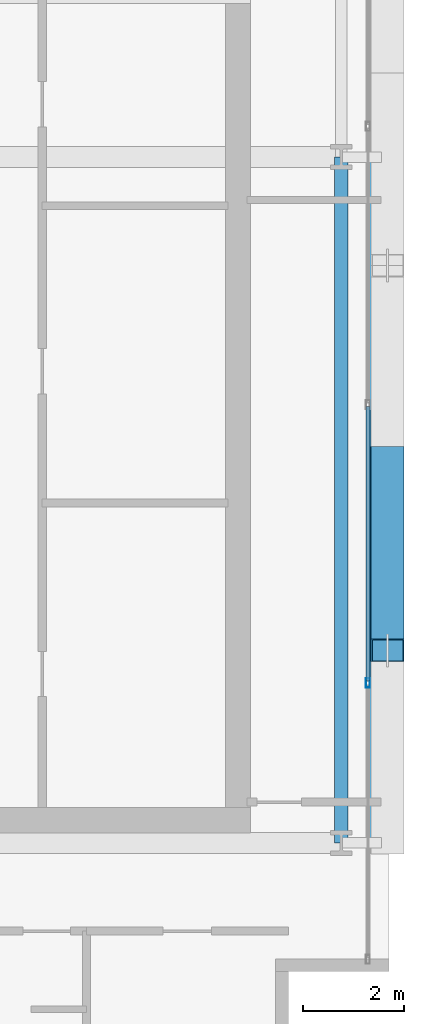
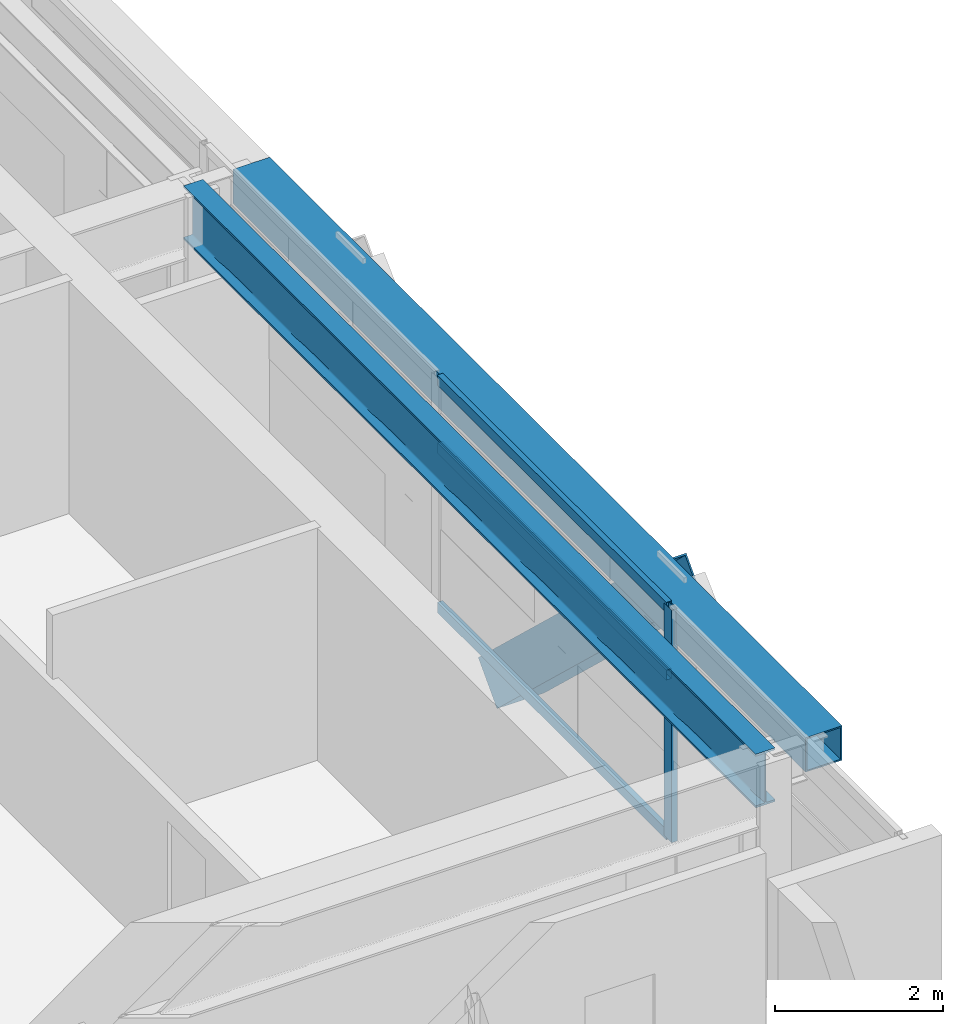
# One storey, part 12 of 31: 5 members, 2 beams, 1 element without a shape of its own.
"""IFC4 building model written with IfcOpenShell, lengths in metres."""

from ifc_helpers import new_model, si_unit, direction, frame, origin, origin_2d, place, context, subcontext, project, spatial, hollow_rectangle, i_section, extrude, source, transform, mapped, material, layer, layer_set, material_profile, profile_set, type_object, element, aggregate, save


model = new_model("IFC4")

# Units and contexts
model_context = context("Model", 3, precision=1e-05, world=origin(), true_north=direction((0.0, 1.0)))
body_context = subcontext(model_context, "Body", "Model", "MODEL_VIEW")
ifc_project = project(units=[si_unit("LENGTHUNIT", "METRE"), si_unit("AREAUNIT", "SQUARE_METRE"), si_unit("VOLUMEUNIT", "CUBIC_METRE"), si_unit("PLANEANGLEUNIT", "RADIAN"), si_unit("MASSUNIT", "GRAM", prefix="KILO")], contexts=[model_context])

# Site, building, storey
site_placement = place(None, origin())
site = spatial("IfcSite", under=ifc_project, at=site_placement, CompositionType="ELEMENT")
building_placement = place(site_placement, origin())
building = spatial("IfcBuilding", under=site, at=building_placement, Name="Ocotamira Hotel", CompositionType="ELEMENT")
storey_placement = place(building_placement, frame((0.0, 0.0, 188.39990234375)))
storey = spatial("IfcBuildingStorey", under=building, at=storey_placement, Name="L47", CompositionType="ELEMENT", Elevation=188.39990234375)

# Beams
ifc_material_1 = material(Name="Steel ASTM A992 Grade 50", Category="steel")
ifc_material_profile_1 = material_profile(ifc_material_1, i_section(OverallWidth=0.26611328125, OverallDepth=0.779052734375, WebThickness=0.0166015625, FlangeThickness=0.030029296875, FilletRadius=0.01806640625, at=origin_2d()), Name="W30X148")
ifc_profile_set_1 = profile_set([ifc_material_profile_1], Name="Steel ASTM A992 Grade 50")
beam_type_1 = type_object("IfcBeamType", Name="BM-GIRD-W30X148", PredefinedType="BEAM", material=ifc_profile_set_1)
shared_shape_1 = source(origin(), body_context, "Body", "SweptSolid", [
    extrude(i_section(OverallWidth=0.26611328125, OverallDepth=0.779052734375, WebThickness=0.0166015625, FlangeThickness=0.030029296875, FilletRadius=0.01806640625, at=origin_2d()), origin(), (0.0, 0.0, 1.0), 13.599853515625),
])
beam_1_placement = place(storey_placement, frame((55.050048828125, 14.550048828125, 2.980712890625), z_axis=(0.0, 1.0, 0.0), x_axis=(-1.0, 0.0, 0.0)))
element("IfcBeam", 1, at=beam_1_placement, inside=storey, type_object=beam_type_1, Name="L47 Beam X55.05 Y14.55-28.15", PredefinedType="BEAM", context=body_context, shape_type="MappedRepresentation", body=[
    mapped(shared_shape_1, transform((0.0, 0.0, 0.0), scale=1.0)),
])
ifc_material_2 = material(Name="Steel ASTM A500 Grade C", Category="steel")
ifc_material_profile_2 = material_profile(ifc_material_2, hollow_rectangle(XDim=0.5, YDim=0.5, WallThickness=0.02001953125, at=origin_2d()), Name="HSS500X500X20")
ifc_profile_set_2 = profile_set([ifc_material_profile_2], Name="Steel ASTM A500 Grade C")
beam_type_2 = type_object("IfcBeamType", Name="BM-SPAN-HSS500", PredefinedType="USERDEFINED", material=ifc_profile_set_2)
shared_shape_2 = source(origin(), body_context, "Body", "SweptSolid", [
    extrude(hollow_rectangle(XDim=0.5, YDim=0.5, WallThickness=0.02001953125, at=origin_2d()), origin(), (0.0, 0.0, 1.0), 13.599853515625),
])
beam_2_placement = place(storey_placement, frame((55.85009765625, 14.550048828125, 3.1201171875), z_axis=(0.0, 1.0, 0.0), x_axis=(-1.0, 0.0, 0.0)))
element("IfcBeam", 2, at=beam_2_placement, inside=storey, type_object=beam_type_2, Name="L47 Edge Spandrel E Y14.55-28.15", ObjectType="SPANDREL", PredefinedType="USERDEFINED", context=body_context, shape_type="MappedRepresentation", body=[
    mapped(shared_shape_2, transform((0.0, 0.0, 0.0), scale=1.0)),
])

# Member
ifc_material_3 = material(Name="Pale-metal coated steel ASTM A913 Grade 65", Category="steel")
ifc_material_profile_3 = material_profile(ifc_material_3, hollow_rectangle(XDim=0.64990234375, YDim=0.64990234375, WallThickness=0.02197265625, at=origin_2d()), Name="BOX650X650X22")
ifc_profile_set_3 = profile_set([ifc_material_profile_3], Name="Pale-metal coated steel ASTM A913 Grade 65")
member_type_1 = type_object("IfcMemberType", Name="MEM-EXO-BOX650", PredefinedType="BRACE", material=ifc_profile_set_3)
shared_shape_3 = source(origin(), body_context, "Body", "SweptSolid", [
    extrude(hollow_rectangle(XDim=0.64990234375, YDim=0.64990234375, WallThickness=0.02197265625, at=origin_2d()), origin(), (0.0, 0.0, 1.0), 5.24658203125),
])
member_1_placement = place(storey_placement, frame((55.969970703125, 22.183349609375, -0.47998046875), z_axis=(0.0, -0.727442733726, 0.686168397078), x_axis=(1.0, 0.0, 0.0)))
element("IfcMember", 3, at=member_1_placement, inside=storey, type_object=member_type_1, Name="L47 Exoskeleton Diagrid E0.2", PredefinedType="BRACE", context=body_context, shape_type="MappedRepresentation", body=[
    mapped(shared_shape_3, transform((0.0, 0.0, 0.0), scale=1.0)),
])

# Curtain wall, members
ifc_material_4 = material(Name="Anodised pale-metal aluminium and solar glass", Category="aluminium")
ifc_layer = layer(ifc_material_4, 0.199951171875)
ifc_layer_set = layer_set([ifc_layer], Name="Anodised pale-metal aluminium and solar glass")
curtain_wall_type = type_object("IfcCurtainWallType", Name="CW-SYS4-Z3", PredefinedType="NOTDEFINED", material=ifc_layer_set)
curtain_wall_placement = place(storey_placement, origin())
curtain_wall = element("IfcCurtainWall", 4, at=curtain_wall_placement, inside=storey, type_object=curtain_wall_type, Name="L47 Curtain Wall CW-4 CW-L47-E", PredefinedType="NOTDEFINED")
ifc_material_5 = material(Name="Anodised pale-metal aluminium 6063-T6", Category="aluminium")
ifc_material_profile_4 = material_profile(ifc_material_5, hollow_rectangle(XDim=0.080078125, YDim=0.179931640625, WallThickness=0.006103515625, at=origin_2d()), Name="HSS180X80X6")
ifc_profile_set_4 = profile_set([ifc_material_profile_4], Name="Anodised pale-metal aluminium 6063-T6")
member_type_2 = type_object("IfcMemberType", Name="CWM-180X75", PredefinedType="MULLION", material=ifc_profile_set_4)
shared_shape_4 = source(origin(), body_context, "Body", "SweptSolid", [
    extrude(hollow_rectangle(XDim=0.080078125, YDim=0.179931640625, WallThickness=0.006103515625, at=origin_2d()), origin(), (0.0, 0.0, 1.0), 3.3701171875),
])
member_2_placement = place(storey_placement, frame((55.580078125, 17.719970703125, 0.0), z_axis=(0.0, 0.0, 1.0), x_axis=(-1.0, 0.0, 0.0)))
member_2 = element("IfcMember", 5, at=member_2_placement, type_object=member_type_2, Name="CW-4 mullion 2", PredefinedType="MULLION", context=body_context, shape_type="MappedRepresentation", body=[
    mapped(shared_shape_4, transform((0.0, 0.0, 0.0), scale=1.0)),
])
ifc_material_profile_5 = material_profile(ifc_material_5, hollow_rectangle(XDim=0.074951171875, YDim=0.14990234375, WallThickness=0.006103515625, at=origin_2d()), Name="HSS150X75X6")
ifc_profile_set_5 = profile_set([ifc_material_profile_5], Name="Anodised pale-metal aluminium 6063-T6")
member_type_3 = type_object("IfcMemberType", Name="CWT-150X75", PredefinedType="USERDEFINED", material=ifc_profile_set_5)
shared_shape_5 = source(origin(), body_context, "Body", "SweptSolid", [
    extrude(hollow_rectangle(XDim=0.074951171875, YDim=0.14990234375, WallThickness=0.006103515625, at=origin_2d()), origin(), (0.0, 0.0, 1.0), 5.43994140625),
])
member_3_placement = place(storey_placement, frame((55.580078125, 17.760009765625, 0.03759765625), z_axis=(0.0, 1.0, 0.0), x_axis=(-1.0, 0.0, 0.0)))
member_3 = element("IfcMember", 6, at=member_3_placement, type_object=member_type_3, Name="CW-4 transom 2.1", ObjectType="TRANSOM", PredefinedType="USERDEFINED", context=body_context, shape_type="MappedRepresentation", body=[
    mapped(shared_shape_5, transform((0.0, 0.0, 0.0), scale=1.0)),
])
member_4_placement = place(storey_placement, frame((55.580078125, 17.760009765625, 2.35009765625), z_axis=(0.0, 1.0, 0.0), x_axis=(-1.0, 0.0, 0.0)))
member_4 = element("IfcMember", 7, at=member_4_placement, type_object=member_type_3, Name="CW-4 transom 2.2", ObjectType="TRANSOM", PredefinedType="USERDEFINED", context=body_context, shape_type="MappedRepresentation", body=[
    mapped(shared_shape_5, transform((0.0, 0.0, 0.0), scale=1.0)),
])
member_5_placement = place(storey_placement, frame((55.580078125, 17.760009765625, 3.33251953125), z_axis=(0.0, 1.0, 0.0), x_axis=(-1.0, 0.0, 0.0)))
member_5 = element("IfcMember", 8, at=member_5_placement, type_object=member_type_3, Name="CW-4 transom 2.3", ObjectType="TRANSOM", PredefinedType="USERDEFINED", context=body_context, shape_type="MappedRepresentation", body=[
    mapped(shared_shape_5, transform((0.0, 0.0, 0.0), scale=1.0)),
])
aggregate(curtain_wall, [member_2, member_3, member_4, member_5])

save(model, "model.ifc")
